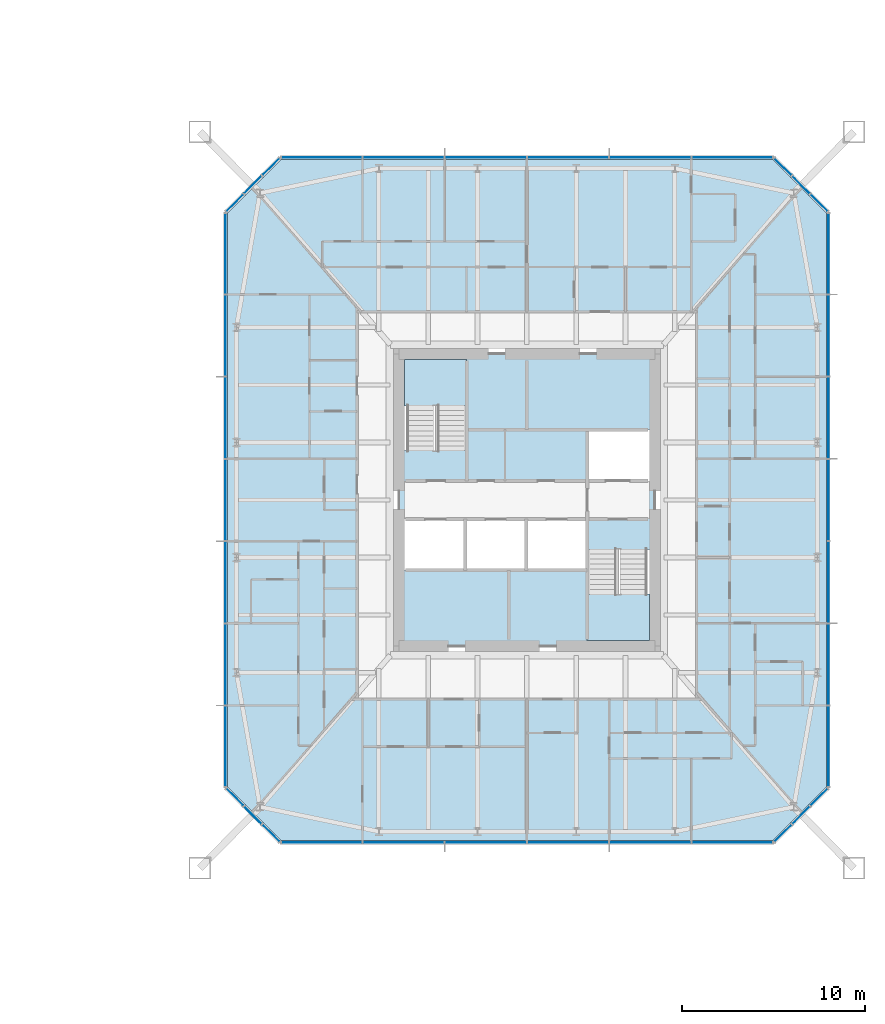
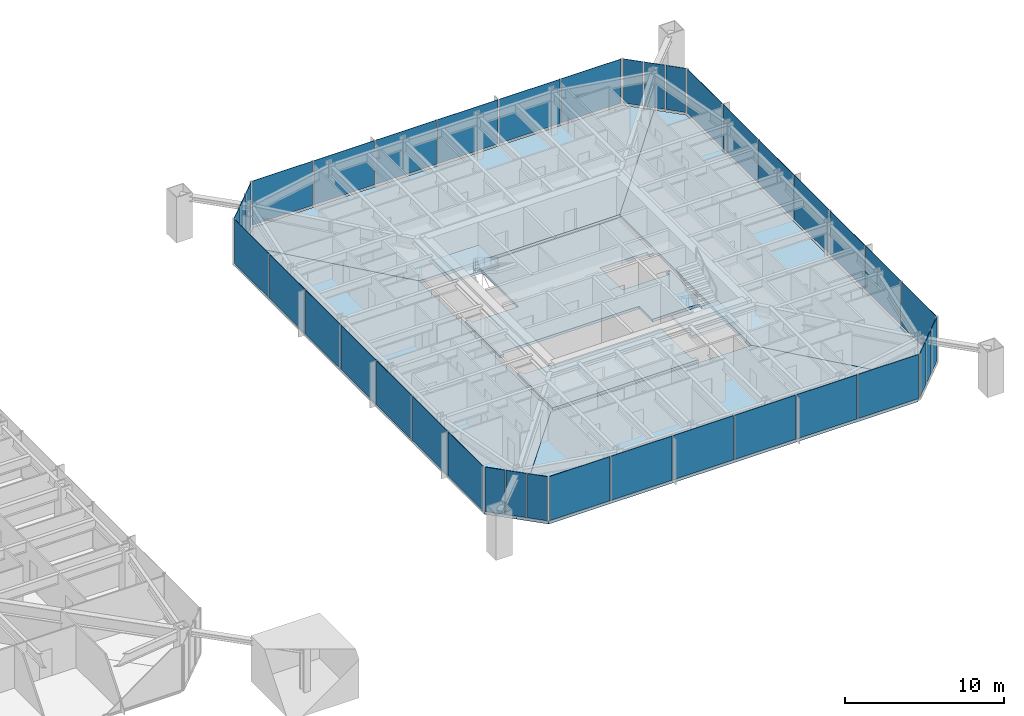
# One storey, part 13 of 26: 38 plates, 8 slabs, 10 elements without a shape of their own.
"""IFC4 building model written with IfcOpenShell, lengths in metres."""

from ifc_helpers import new_model, si_unit, direction, frame, origin, origin_2d, place, context, subcontext, project, spatial, polyline, rectangle, outline, extrude, material, layer, layer_set, constituent, constituent_set, type_object, element, aggregate, save


model = new_model("IFC4")

# Units and contexts
model_context = context("Model", 3, precision=1e-05, world=origin(), true_north=direction((0.0, 1.0)))
body_context = subcontext(model_context, "Body", "Model", "MODEL_VIEW")
ifc_project = project(units=[si_unit("LENGTHUNIT", "METRE"), si_unit("AREAUNIT", "SQUARE_METRE"), si_unit("VOLUMEUNIT", "CUBIC_METRE"), si_unit("PLANEANGLEUNIT", "RADIAN"), si_unit("MASSUNIT", "GRAM", prefix="KILO")], contexts=[model_context])

# Site, building, storey
site_placement = place(None, origin())
site = spatial("IfcSite", under=ifc_project, at=site_placement, CompositionType="ELEMENT")
building_placement = place(site_placement, origin())
building = spatial("IfcBuilding", under=site, at=building_placement, Name="Iwan Alto Co-Living Towers", CompositionType="ELEMENT")
storey_placement = place(building_placement, frame((0.0, 0.0, 57.0)))
storey = spatial("IfcBuildingStorey", under=building, at=storey_placement, Name="L15", CompositionType="ELEMENT", Elevation=57.0)

# Slabs
ifc_material_1 = material(Name="Concrete f'c 30 MPa", Category="concrete")
ifc_layer_1 = layer(ifc_material_1, 0.199951171875)
ifc_layer_set_1 = layer_set([ifc_layer_1], Name="CORE FLOOR SLAB 200")
slab_type_1 = type_object("IfcSlabType", Name="CORE FLOOR SLAB 200", PredefinedType="FLOOR", material=ifc_layer_set_1)
slab_1_placement = place(storey_placement, frame((0.0, 0.0, -0.199951171875)))
element("IfcSlab", 1, at=slab_1_placement, inside=storey, type_object=slab_type_1, Name="T2 core floor L15", PredefinedType="FLOOR", context=body_context, shape_type="SweptSolid", body=[
    extrude(outline(polyline([(70.0, -3.030029296875), (69.699951171875, -3.030029296875), (69.699951171875, -2.719970703125), (66.300048828125, -2.719970703125), (66.300048828125, -1.050048828125), (62.967041015625, -1.050048828125), (59.633056640625, -1.050048828125), (56.300048828125, -1.050048828125), (56.300048828125, -1.360107421875), (56.0, -1.360107421875), (56.0, 3.030029296875), (56.300048828125, 3.030029296875), (56.300048828125, 2.719970703125), (59.699951171875, 2.719970703125), (59.699951171875, 7.699951171875), (59.389892578125, 7.699951171875), (59.389892578125, 8.0), (70.0, 8.0), (70.0, 3.5400390625), (69.699951171875, 3.5400390625), (69.699951171875, 3.85009765625), (66.300048828125, 3.85009765625), (66.300048828125, 1.050048828125), (69.699951171875, 1.050048828125), (69.699951171875, 1.360107421875), (70.0, 1.360107421875), (70.0, -3.030029296875)])), origin(), (0.0, 0.0, 1.0), 0.199951171875),
])
slab_2_placement = place(storey_placement, frame((0.0, 0.0, -0.199951171875)))
element("IfcSlab", 2, at=slab_2_placement, inside=storey, type_object=slab_type_1, Name="T2 core floor L15", PredefinedType="FLOOR", context=body_context, shape_type="SweptSolid", body=[
    extrude(outline(polyline([(62.967041015625, -3.85009765625), (66.300048828125, -3.85009765625), (66.300048828125, -7.699951171875), (66.610107421875, -7.699951171875), (66.610107421875, -8.0), (56.0, -8.0), (56.0, -3.5400390625), (56.300048828125, -3.5400390625), (56.300048828125, -3.85009765625), (59.633056640625, -3.85009765625), (62.967041015625, -3.85009765625)])), origin(), (0.0, 0.0, 1.0), 0.199951171875),
])

# Curtain wall, plates
ifc_material_2 = material(Name="Bronze aluminium unitised frame", Category="aluminium")
curtain_wall_type_1 = type_object("IfcCurtainWallType", Name="CURTAIN WALL CW-C", PredefinedType="NOTDEFINED", material=ifc_material_2)
curtain_wall_1_placement = place(storey_placement, origin())
curtain_wall_1 = element("IfcCurtainWall", 3, at=curtain_wall_1_placement, inside=storey, type_object=curtain_wall_type_1, Name="T2 curtain wall S L15", PredefinedType="NOTDEFINED")
ifc_material_3 = material(Name="Bronze-tinted insulating glass", Category="glass")
ifc_layer_2 = layer(ifc_material_3, 0.031982421875)
ifc_layer_set_2 = layer_set([ifc_layer_2], Name="CW-C PANEL TINTED IGU 32")
plate_type_1 = type_object("IfcPlateType", Name="CW-C PANEL TINTED IGU 32", PredefinedType="CURTAIN_PANEL", material=ifc_layer_set_2)
plate_1_placement = place(storey_placement, frame((51.77001953125, -18.75, 0.10009765625), z_axis=(0.0, 0.0, 1.0), x_axis=(1.0, 0.0, 0.0)))
plate_1 = element("IfcPlate", 4, at=plate_1_placement, type_object=plate_type_1, Name="CW-C panel 1.1", PredefinedType="CURTAIN_PANEL", context=body_context, shape_type="SweptSolid", body=[
    extrude(rectangle(XDim=4.3798828125, YDim=0.031982421875, at=origin_2d()), origin(), (0.0, 0.0, 1.0), 3.39990234375),
])
plate_2_placement = place(storey_placement, frame((74.22998046875, -18.75, 0.10009765625), z_axis=(0.0, 0.0, 1.0), x_axis=(1.0, 0.0, 0.0)))
plate_2 = element("IfcPlate", 5, at=plate_2_placement, type_object=plate_type_1, Name="CW-C panel 6.1", PredefinedType="CURTAIN_PANEL", context=body_context, shape_type="SweptSolid", body=[
    extrude(rectangle(XDim=4.3798828125, YDim=0.031982421875, at=origin_2d()), origin(), (0.0, 0.0, 1.0), 3.39990234375),
])

curtain_wall_2_placement = place(storey_placement, origin())
curtain_wall_2 = element("IfcCurtainWall", 6, at=curtain_wall_2_placement, inside=storey, type_object=curtain_wall_type_1, Name="T2 curtain wall E L15", PredefinedType="NOTDEFINED")
plate_3_placement = place(storey_placement, frame((79.5, -13.47998046875, 0.10009765625), z_axis=(0.0, 0.0, 1.0), x_axis=(0.0, 1.0, 0.0)))
plate_3 = element("IfcPlate", 7, at=plate_3_placement, type_object=plate_type_1, Name="CW-C panel 1.1", PredefinedType="CURTAIN_PANEL", context=body_context, shape_type="SweptSolid", body=[
    extrude(rectangle(XDim=4.3798828125, YDim=0.031982421875, at=origin_2d()), origin(), (0.0, 0.0, 1.0), 3.39990234375),
])
plate_4_placement = place(storey_placement, frame((79.5, -9.0, 0.10009765625), z_axis=(0.0, 0.0, 1.0), x_axis=(0.0, 1.0, 0.0)))
plate_4 = element("IfcPlate", 8, at=plate_4_placement, type_object=plate_type_1, Name="CW-C panel 2.1", PredefinedType="CURTAIN_PANEL", context=body_context, shape_type="SweptSolid", body=[
    extrude(rectangle(XDim=4.419921875, YDim=0.031982421875, at=origin_2d()), origin(), (0.0, 0.0, 1.0), 3.39990234375),
])
plate_5_placement = place(storey_placement, frame((79.5, 9.0, 0.10009765625), z_axis=(0.0, 0.0, 1.0), x_axis=(0.0, 1.0, 0.0)))
plate_5 = element("IfcPlate", 9, at=plate_5_placement, type_object=plate_type_1, Name="CW-C panel 6.1", PredefinedType="CURTAIN_PANEL", context=body_context, shape_type="SweptSolid", body=[
    extrude(rectangle(XDim=4.419921875, YDim=0.031982421875, at=origin_2d()), origin(), (0.0, 0.0, 1.0), 3.39990234375),
])
plate_6_placement = place(storey_placement, frame((79.5, 13.47998046875, 0.10009765625), z_axis=(0.0, 0.0, 1.0), x_axis=(0.0, 1.0, 0.0)))
plate_6 = element("IfcPlate", 10, at=plate_6_placement, type_object=plate_type_1, Name="CW-C panel 7.1", PredefinedType="CURTAIN_PANEL", context=body_context, shape_type="SweptSolid", body=[
    extrude(rectangle(XDim=4.3798828125, YDim=0.031982421875, at=origin_2d()), origin(), (0.0, 0.0, 1.0), 3.39990234375),
])

curtain_wall_3_placement = place(storey_placement, origin())
curtain_wall_3 = element("IfcCurtainWall", 11, at=curtain_wall_3_placement, inside=storey, type_object=curtain_wall_type_1, Name="T2 curtain wall N L15", PredefinedType="NOTDEFINED")
plate_7_placement = place(storey_placement, frame((74.22998046875, 18.75, 0.10009765625), z_axis=(0.0, 0.0, 1.0), x_axis=(-1.0, 0.0, 0.0)))
plate_7 = element("IfcPlate", 12, at=plate_7_placement, type_object=plate_type_1, Name="CW-C panel 1.1", PredefinedType="CURTAIN_PANEL", context=body_context, shape_type="SweptSolid", body=[
    extrude(rectangle(XDim=4.3798828125, YDim=0.031982421875, at=origin_2d()), origin(), (0.0, 0.0, 1.0), 3.39990234375),
])
plate_8_placement = place(storey_placement, frame((51.77001953125, 18.75, 0.10009765625), z_axis=(0.0, 0.0, 1.0), x_axis=(-1.0, 0.0, 0.0)))
plate_8 = element("IfcPlate", 13, at=plate_8_placement, type_object=plate_type_1, Name="CW-C panel 6.1", PredefinedType="CURTAIN_PANEL", context=body_context, shape_type="SweptSolid", body=[
    extrude(rectangle(XDim=4.3798828125, YDim=0.031982421875, at=origin_2d()), origin(), (0.0, 0.0, 1.0), 3.39990234375),
])

curtain_wall_4_placement = place(storey_placement, origin())
curtain_wall_4 = element("IfcCurtainWall", 14, at=curtain_wall_4_placement, inside=storey, type_object=curtain_wall_type_1, Name="T2 curtain wall W L15", PredefinedType="NOTDEFINED")
plate_9_placement = place(storey_placement, frame((46.5, 13.47998046875, 0.10009765625), z_axis=(0.0, 0.0, 1.0), x_axis=(0.0, -1.0, 0.0)))
plate_9 = element("IfcPlate", 15, at=plate_9_placement, type_object=plate_type_1, Name="CW-C panel 1.1", PredefinedType="CURTAIN_PANEL", context=body_context, shape_type="SweptSolid", body=[
    extrude(rectangle(XDim=4.3798828125, YDim=0.031982421875, at=origin_2d()), origin(), (0.0, 0.0, 1.0), 3.39990234375),
])
plate_10_placement = place(storey_placement, frame((46.5, 9.0, 0.10009765625), z_axis=(0.0, 0.0, 1.0), x_axis=(0.0, -1.0, 0.0)))
plate_10 = element("IfcPlate", 16, at=plate_10_placement, type_object=plate_type_1, Name="CW-C panel 2.1", PredefinedType="CURTAIN_PANEL", context=body_context, shape_type="SweptSolid", body=[
    extrude(rectangle(XDim=4.419921875, YDim=0.031982421875, at=origin_2d()), origin(), (0.0, 0.0, 1.0), 3.39990234375),
])
plate_11_placement = place(storey_placement, frame((46.5, -9.0, 0.10009765625), z_axis=(0.0, 0.0, 1.0), x_axis=(0.0, -1.0, 0.0)))
plate_11 = element("IfcPlate", 17, at=plate_11_placement, type_object=plate_type_1, Name="CW-C panel 6.1", PredefinedType="CURTAIN_PANEL", context=body_context, shape_type="SweptSolid", body=[
    extrude(rectangle(XDim=4.419921875, YDim=0.031982421875, at=origin_2d()), origin(), (0.0, 0.0, 1.0), 3.39990234375),
])
plate_12_placement = place(storey_placement, frame((46.5, -13.47998046875, 0.10009765625), z_axis=(0.0, 0.0, 1.0), x_axis=(0.0, -1.0, 0.0)))
plate_12 = element("IfcPlate", 18, at=plate_12_placement, type_object=plate_type_1, Name="CW-C panel 7.1", PredefinedType="CURTAIN_PANEL", context=body_context, shape_type="SweptSolid", body=[
    extrude(rectangle(XDim=4.3798828125, YDim=0.031982421875, at=origin_2d()), origin(), (0.0, 0.0, 1.0), 3.39990234375),
])

# Plate
ifc_material_4 = material(Name="Insulated bronze aluminium spandrel panel", Category="aluminium")
ifc_layer_3 = layer(ifc_material_4, 0.031982421875)
ifc_layer_set_3 = layer_set([ifc_layer_3], Name="CW-C SPANDREL PANEL 32")
plate_type_2 = type_object("IfcPlateType", Name="CW-C SPANDREL PANEL 32", PredefinedType="CURTAIN_PANEL", material=ifc_layer_set_3)
plate_13_placement = place(storey_placement, frame((56.25, -18.75, 0.10009765625), z_axis=(0.0, 0.0, 1.0), x_axis=(1.0, 0.0, 0.0)))
plate_13 = element("IfcPlate", 19, at=plate_13_placement, type_object=plate_type_2, Name="CW-C spandrel panel 2.1 (braced bay)", PredefinedType="CURTAIN_PANEL", context=body_context, shape_type="SweptSolid", body=[
    extrude(rectangle(XDim=4.419921875, YDim=0.031982421875, at=origin_2d()), origin(), (0.0, 0.0, 1.0), 3.39990234375),
])

plate_14_placement = place(storey_placement, frame((60.75, -18.75, 0.10009765625), z_axis=(0.0, 0.0, 1.0), x_axis=(1.0, 0.0, 0.0)))
plate_14 = element("IfcPlate", 20, at=plate_14_placement, type_object=plate_type_2, Name="CW-C spandrel panel 3.1 (braced bay)", PredefinedType="CURTAIN_PANEL", context=body_context, shape_type="SweptSolid", body=[
    extrude(rectangle(XDim=4.419921875, YDim=0.031982421875, at=origin_2d()), origin(), (0.0, 0.0, 1.0), 3.39990234375),
])

plate_15_placement = place(storey_placement, frame((65.25, -18.75, 0.10009765625), z_axis=(0.0, 0.0, 1.0), x_axis=(1.0, 0.0, 0.0)))
plate_15 = element("IfcPlate", 21, at=plate_15_placement, type_object=plate_type_2, Name="CW-C spandrel panel 4.1 (braced bay)", PredefinedType="CURTAIN_PANEL", context=body_context, shape_type="SweptSolid", body=[
    extrude(rectangle(XDim=4.419921875, YDim=0.031982421875, at=origin_2d()), origin(), (0.0, 0.0, 1.0), 3.39990234375),
])

plate_16_placement = place(storey_placement, frame((69.75, -18.75, 0.10009765625), z_axis=(0.0, 0.0, 1.0), x_axis=(1.0, 0.0, 0.0)))
plate_16 = element("IfcPlate", 22, at=plate_16_placement, type_object=plate_type_2, Name="CW-C spandrel panel 5.1 (braced bay)", PredefinedType="CURTAIN_PANEL", context=body_context, shape_type="SweptSolid", body=[
    extrude(rectangle(XDim=4.419921875, YDim=0.031982421875, at=origin_2d()), origin(), (0.0, 0.0, 1.0), 3.39990234375),
])

aggregate(curtain_wall_1, [plate_1, plate_2, plate_13, plate_14, plate_15, plate_16])

plate_17_placement = place(storey_placement, frame((79.5, -4.5, 0.10009765625), z_axis=(0.0, 0.0, 1.0), x_axis=(0.0, 1.0, 0.0)))
plate_17 = element("IfcPlate", 23, at=plate_17_placement, type_object=plate_type_2, Name="CW-C spandrel panel 3.1 (braced bay)", PredefinedType="CURTAIN_PANEL", context=body_context, shape_type="SweptSolid", body=[
    extrude(rectangle(XDim=4.419921875, YDim=0.031982421875, at=origin_2d()), origin(), (0.0, 0.0, 1.0), 3.39990234375),
])

plate_18_placement = place(storey_placement, frame((79.5, 0.0, 0.10009765625), z_axis=(0.0, 0.0, 1.0), x_axis=(0.0, 1.0, 0.0)))
plate_18 = element("IfcPlate", 24, at=plate_18_placement, type_object=plate_type_2, Name="CW-C spandrel panel 4.1 (braced bay)", PredefinedType="CURTAIN_PANEL", context=body_context, shape_type="SweptSolid", body=[
    extrude(rectangle(XDim=4.419921875, YDim=0.031982421875, at=origin_2d()), origin(), (0.0, 0.0, 1.0), 3.39990234375),
])

plate_19_placement = place(storey_placement, frame((79.5, 4.5, 0.10009765625), z_axis=(0.0, 0.0, 1.0), x_axis=(0.0, 1.0, 0.0)))
plate_19 = element("IfcPlate", 25, at=plate_19_placement, type_object=plate_type_2, Name="CW-C spandrel panel 5.1 (braced bay)", PredefinedType="CURTAIN_PANEL", context=body_context, shape_type="SweptSolid", body=[
    extrude(rectangle(XDim=4.419921875, YDim=0.031982421875, at=origin_2d()), origin(), (0.0, 0.0, 1.0), 3.39990234375),
])

aggregate(curtain_wall_2, [plate_3, plate_4, plate_5, plate_6, plate_17, plate_18, plate_19])

plate_20_placement = place(storey_placement, frame((69.75, 18.75, 0.10009765625), z_axis=(0.0, 0.0, 1.0), x_axis=(-1.0, 0.0, 0.0)))
plate_20 = element("IfcPlate", 26, at=plate_20_placement, type_object=plate_type_2, Name="CW-C spandrel panel 2.1 (braced bay)", PredefinedType="CURTAIN_PANEL", context=body_context, shape_type="SweptSolid", body=[
    extrude(rectangle(XDim=4.419921875, YDim=0.031982421875, at=origin_2d()), origin(), (0.0, 0.0, 1.0), 3.39990234375),
])

plate_21_placement = place(storey_placement, frame((65.25, 18.75, 0.10009765625), z_axis=(0.0, 0.0, 1.0), x_axis=(-1.0, 0.0, 0.0)))
plate_21 = element("IfcPlate", 27, at=plate_21_placement, type_object=plate_type_2, Name="CW-C spandrel panel 3.1 (braced bay)", PredefinedType="CURTAIN_PANEL", context=body_context, shape_type="SweptSolid", body=[
    extrude(rectangle(XDim=4.419921875, YDim=0.031982421875, at=origin_2d()), origin(), (0.0, 0.0, 1.0), 3.39990234375),
])

plate_22_placement = place(storey_placement, frame((60.75, 18.75, 0.10009765625), z_axis=(0.0, 0.0, 1.0), x_axis=(-1.0, 0.0, 0.0)))
plate_22 = element("IfcPlate", 28, at=plate_22_placement, type_object=plate_type_2, Name="CW-C spandrel panel 4.1 (braced bay)", PredefinedType="CURTAIN_PANEL", context=body_context, shape_type="SweptSolid", body=[
    extrude(rectangle(XDim=4.419921875, YDim=0.031982421875, at=origin_2d()), origin(), (0.0, 0.0, 1.0), 3.39990234375),
])

plate_23_placement = place(storey_placement, frame((56.25, 18.75, 0.10009765625), z_axis=(0.0, 0.0, 1.0), x_axis=(-1.0, 0.0, 0.0)))
plate_23 = element("IfcPlate", 29, at=plate_23_placement, type_object=plate_type_2, Name="CW-C spandrel panel 5.1 (braced bay)", PredefinedType="CURTAIN_PANEL", context=body_context, shape_type="SweptSolid", body=[
    extrude(rectangle(XDim=4.419921875, YDim=0.031982421875, at=origin_2d()), origin(), (0.0, 0.0, 1.0), 3.39990234375),
])

aggregate(curtain_wall_3, [plate_7, plate_8, plate_20, plate_21, plate_22, plate_23])

plate_24_placement = place(storey_placement, frame((46.5, 4.5, 0.10009765625), z_axis=(0.0, 0.0, 1.0), x_axis=(0.0, -1.0, 0.0)))
plate_24 = element("IfcPlate", 30, at=plate_24_placement, type_object=plate_type_2, Name="CW-C spandrel panel 3.1 (braced bay)", PredefinedType="CURTAIN_PANEL", context=body_context, shape_type="SweptSolid", body=[
    extrude(rectangle(XDim=4.419921875, YDim=0.031982421875, at=origin_2d()), origin(), (0.0, 0.0, 1.0), 3.39990234375),
])

plate_25_placement = place(storey_placement, frame((46.5, 0.0, 0.10009765625), z_axis=(0.0, 0.0, 1.0), x_axis=(0.0, -1.0, 0.0)))
plate_25 = element("IfcPlate", 31, at=plate_25_placement, type_object=plate_type_2, Name="CW-C spandrel panel 4.1 (braced bay)", PredefinedType="CURTAIN_PANEL", context=body_context, shape_type="SweptSolid", body=[
    extrude(rectangle(XDim=4.419921875, YDim=0.031982421875, at=origin_2d()), origin(), (0.0, 0.0, 1.0), 3.39990234375),
])

plate_26_placement = place(storey_placement, frame((46.5, -4.5, 0.10009765625), z_axis=(0.0, 0.0, 1.0), x_axis=(0.0, -1.0, 0.0)))
plate_26 = element("IfcPlate", 32, at=plate_26_placement, type_object=plate_type_2, Name="CW-C spandrel panel 5.1 (braced bay)", PredefinedType="CURTAIN_PANEL", context=body_context, shape_type="SweptSolid", body=[
    extrude(rectangle(XDim=4.419921875, YDim=0.031982421875, at=origin_2d()), origin(), (0.0, 0.0, 1.0), 3.39990234375),
])

aggregate(curtain_wall_4, [plate_9, plate_10, plate_11, plate_12, plate_24, plate_25, plate_26])

# Curtain wall, plates
ifc_material_5 = material(Name="Bronze aluminium unitised frame", Category="aluminium")
curtain_wall_type_2 = type_object("IfcCurtainWallType", Name="CURTAIN WALL CW-D", PredefinedType="NOTDEFINED", material=ifc_material_5)
curtain_wall_5_placement = place(storey_placement, origin())
curtain_wall_5 = element("IfcCurtainWall", 33, at=curtain_wall_5_placement, inside=storey, type_object=curtain_wall_type_2, Name="T2 chamfer curtain wall SE L15", PredefinedType="NOTDEFINED")
ifc_material_6 = material(Name="Bronze-tinted insulating glass", Category="glass")
ifc_layer_4 = layer(ifc_material_6, 0.031982421875)
ifc_layer_set_4 = layer_set([ifc_layer_4], Name="CW-D PANEL TINTED IGU 32")
plate_type_3 = type_object("IfcPlateType", Name="CW-D PANEL TINTED IGU 32", PredefinedType="CURTAIN_PANEL", material=ifc_layer_set_4)
plate_27_placement = place(storey_placement, frame((77.01416015625, -18.23583984375, 0.10009765625), z_axis=(0.0, 0.0, 1.0), x_axis=(0.707106781187, 0.707106781187, 0.0)))
plate_27 = element("IfcPlate", 34, at=plate_27_placement, type_object=plate_type_3, Name="CW-D panel 1.1", PredefinedType="CURTAIN_PANEL", context=body_context, shape_type="SweptSolid", body=[
    extrude(rectangle(XDim=1.294189453125, YDim=0.031982421875, at=origin_2d()), origin(), (0.0, 0.0, 1.0), 3.39990234375),
])
plate_28_placement = place(storey_placement, frame((78.0, -17.25, 0.10009765625), z_axis=(0.0, 0.0, 1.0), x_axis=(0.707106781187, 0.707106781187, 0.0)))
plate_28 = element("IfcPlate", 35, at=plate_28_placement, type_object=plate_type_3, Name="CW-D panel 2.1", PredefinedType="CURTAIN_PANEL", context=body_context, shape_type="SweptSolid", body=[
    extrude(rectangle(XDim=1.334228515625, YDim=0.031982421875, at=origin_2d()), origin(), (0.0, 0.0, 1.0), 3.39990234375),
])
plate_29_placement = place(storey_placement, frame((78.98583984375, -16.26416015625, 0.10009765625), z_axis=(0.0, 0.0, 1.0), x_axis=(0.707106781187, 0.707106781187, 0.0)))
plate_29 = element("IfcPlate", 36, at=plate_29_placement, type_object=plate_type_3, Name="CW-D panel 3.1", PredefinedType="CURTAIN_PANEL", context=body_context, shape_type="SweptSolid", body=[
    extrude(rectangle(XDim=1.294189453125, YDim=0.031982421875, at=origin_2d()), origin(), (0.0, 0.0, 1.0), 3.39990234375),
])
aggregate(curtain_wall_5, [plate_27, plate_28, plate_29])

curtain_wall_6_placement = place(storey_placement, origin())
curtain_wall_6 = element("IfcCurtainWall", 37, at=curtain_wall_6_placement, inside=storey, type_object=curtain_wall_type_2, Name="T2 chamfer curtain wall NE L15", PredefinedType="NOTDEFINED")
plate_30_placement = place(storey_placement, frame((78.98583984375, 16.26416015625, 0.10009765625), z_axis=(0.0, 0.0, 1.0), x_axis=(-0.707106781187, 0.707106781187, 0.0)))
plate_30 = element("IfcPlate", 38, at=plate_30_placement, type_object=plate_type_3, Name="CW-D panel 1.1", PredefinedType="CURTAIN_PANEL", context=body_context, shape_type="SweptSolid", body=[
    extrude(rectangle(XDim=1.294189453125, YDim=0.031982421875, at=origin_2d()), origin(), (0.0, 0.0, 1.0), 3.39990234375),
])
plate_31_placement = place(storey_placement, frame((78.0, 17.25, 0.10009765625), z_axis=(0.0, 0.0, 1.0), x_axis=(-0.707106781187, 0.707106781187, 0.0)))
plate_31 = element("IfcPlate", 39, at=plate_31_placement, type_object=plate_type_3, Name="CW-D panel 2.1", PredefinedType="CURTAIN_PANEL", context=body_context, shape_type="SweptSolid", body=[
    extrude(rectangle(XDim=1.334228515625, YDim=0.031982421875, at=origin_2d()), origin(), (0.0, 0.0, 1.0), 3.39990234375),
])
plate_32_placement = place(storey_placement, frame((77.01416015625, 18.23583984375, 0.10009765625), z_axis=(0.0, 0.0, 1.0), x_axis=(-0.707106781187, 0.707106781187, 0.0)))
plate_32 = element("IfcPlate", 40, at=plate_32_placement, type_object=plate_type_3, Name="CW-D panel 3.1", PredefinedType="CURTAIN_PANEL", context=body_context, shape_type="SweptSolid", body=[
    extrude(rectangle(XDim=1.294189453125, YDim=0.031982421875, at=origin_2d()), origin(), (0.0, 0.0, 1.0), 3.39990234375),
])
aggregate(curtain_wall_6, [plate_30, plate_31, plate_32])

curtain_wall_7_placement = place(storey_placement, origin())
curtain_wall_7 = element("IfcCurtainWall", 41, at=curtain_wall_7_placement, inside=storey, type_object=curtain_wall_type_2, Name="T2 chamfer curtain wall NW L15", PredefinedType="NOTDEFINED")
plate_33_placement = place(storey_placement, frame((48.98583984375, 18.23583984375, 0.10009765625), z_axis=(0.0, 0.0, 1.0), x_axis=(-0.707106781187, -0.707106781187, 0.0)))
plate_33 = element("IfcPlate", 42, at=plate_33_placement, type_object=plate_type_3, Name="CW-D panel 1.1", PredefinedType="CURTAIN_PANEL", context=body_context, shape_type="SweptSolid", body=[
    extrude(rectangle(XDim=1.294189453125, YDim=0.031982421875, at=origin_2d()), origin(), (0.0, 0.0, 1.0), 3.39990234375),
])
plate_34_placement = place(storey_placement, frame((48.0, 17.25, 0.10009765625), z_axis=(0.0, 0.0, 1.0), x_axis=(-0.707106781187, -0.707106781187, 0.0)))
plate_34 = element("IfcPlate", 43, at=plate_34_placement, type_object=plate_type_3, Name="CW-D panel 2.1", PredefinedType="CURTAIN_PANEL", context=body_context, shape_type="SweptSolid", body=[
    extrude(rectangle(XDim=1.334228515625, YDim=0.031982421875, at=origin_2d()), origin(), (0.0, 0.0, 1.0), 3.39990234375),
])
plate_35_placement = place(storey_placement, frame((47.01416015625, 16.26416015625, 0.10009765625), z_axis=(0.0, 0.0, 1.0), x_axis=(-0.707106781187, -0.707106781187, 0.0)))
plate_35 = element("IfcPlate", 44, at=plate_35_placement, type_object=plate_type_3, Name="CW-D panel 3.1", PredefinedType="CURTAIN_PANEL", context=body_context, shape_type="SweptSolid", body=[
    extrude(rectangle(XDim=1.294189453125, YDim=0.031982421875, at=origin_2d()), origin(), (0.0, 0.0, 1.0), 3.39990234375),
])
aggregate(curtain_wall_7, [plate_33, plate_34, plate_35])

curtain_wall_8_placement = place(storey_placement, origin())
curtain_wall_8 = element("IfcCurtainWall", 45, at=curtain_wall_8_placement, inside=storey, type_object=curtain_wall_type_2, Name="T2 chamfer curtain wall SW L15", PredefinedType="NOTDEFINED")
plate_36_placement = place(storey_placement, frame((47.01416015625, -16.26416015625, 0.10009765625), z_axis=(0.0, 0.0, 1.0), x_axis=(0.707106781187, -0.707106781187, 0.0)))
plate_36 = element("IfcPlate", 46, at=plate_36_placement, type_object=plate_type_3, Name="CW-D panel 1.1", PredefinedType="CURTAIN_PANEL", context=body_context, shape_type="SweptSolid", body=[
    extrude(rectangle(XDim=1.294189453125, YDim=0.031982421875, at=origin_2d()), origin(), (0.0, 0.0, 1.0), 3.39990234375),
])
plate_37_placement = place(storey_placement, frame((48.0, -17.25, 0.10009765625), z_axis=(0.0, 0.0, 1.0), x_axis=(0.707106781187, -0.707106781187, 0.0)))
plate_37 = element("IfcPlate", 47, at=plate_37_placement, type_object=plate_type_3, Name="CW-D panel 2.1", PredefinedType="CURTAIN_PANEL", context=body_context, shape_type="SweptSolid", body=[
    extrude(rectangle(XDim=1.334228515625, YDim=0.031982421875, at=origin_2d()), origin(), (0.0, 0.0, 1.0), 3.39990234375),
])
plate_38_placement = place(storey_placement, frame((48.98583984375, -18.23583984375, 0.10009765625), z_axis=(0.0, 0.0, 1.0), x_axis=(0.707106781187, -0.707106781187, 0.0)))
plate_38 = element("IfcPlate", 48, at=plate_38_placement, type_object=plate_type_3, Name="CW-D panel 3.1", PredefinedType="CURTAIN_PANEL", context=body_context, shape_type="SweptSolid", body=[
    extrude(rectangle(XDim=1.294189453125, YDim=0.031982421875, at=origin_2d()), origin(), (0.0, 0.0, 1.0), 3.39990234375),
])
aggregate(curtain_wall_8, [plate_36, plate_37, plate_38])

# Stair, slab
ifc_material_7 = material(Name="Steel ASTM A36", Category="steel")
ifc_constituent_1 = constituent(ifc_material_7, Name="Stringers", Category="LoadBearing")
ifc_material_8 = material(Name="Concrete f'c 30 MPa", Category="concrete")
ifc_constituent_2 = constituent(ifc_material_8, Name="Tread fill", Category="Finish")
ifc_constituent_set = constituent_set(constituents=[ifc_constituent_1, ifc_constituent_2], Name="STAIR 3500 TWO-FLIGHT T2 CORE")
stair_type = type_object("IfcStairType", Name="STAIR 3500 TWO-FLIGHT T2 CORE", PredefinedType="HALF_TURN_STAIR", material=ifc_constituent_set)
stair_1_placement = place(storey_placement, origin())
stair_1 = element("IfcStair", 49, at=stair_1_placement, inside=storey, type_object=stair_type, Name="Stair T2-S1 L15 to L16", PredefinedType="HALF_TURN_STAIR")
ifc_material_9 = material(Name="Concrete f'c 30 MPa", Category="concrete")
ifc_layer_5 = layer(ifc_material_9, 0.199951171875)
ifc_layer_set_5 = layer_set([ifc_layer_5], Name="STAIR LANDING 200")
slab_type_2 = type_object("IfcSlabType", Name="STAIR LANDING 200", PredefinedType="LANDING", material=ifc_layer_set_5)
slab_3_placement = place(storey_placement, frame((0.0, 0.0, 1.550048828125)))
slab_3 = element("IfcSlab", 50, at=slab_3_placement, type_object=slab_type_2, Name="T2-S1 landing 1", PredefinedType="LANDING", context=body_context, shape_type="SweptSolid", body=[
    extrude(outline(polyline([(56.300048828125, 5.139892578125), (56.300048828125, 7.699951171875), (59.699951171875, 7.699951171875), (59.699951171875, 5.139892578125), (56.300048828125, 5.139892578125)])), origin(), (0.0, 0.0, 1.0), 0.199951171875),
])
aggregate(stair_1, [slab_3])

stair_2_placement = place(storey_placement, origin())
stair_2 = element("IfcStair", 51, at=stair_2_placement, inside=storey, type_object=stair_type, Name="Stair T2-S2 L15 to L16", PredefinedType="HALF_TURN_STAIR")
slab_4_placement = place(storey_placement, frame((0.0, 0.0, 1.550048828125)))
slab_4 = element("IfcSlab", 52, at=slab_4_placement, type_object=slab_type_2, Name="T2-S2 landing 1", PredefinedType="LANDING", context=body_context, shape_type="SweptSolid", body=[
    extrude(outline(polyline([(66.300048828125, -5.139892578125), (66.300048828125, -7.699951171875), (69.699951171875, -7.699951171875), (69.699951171875, -5.139892578125), (66.300048828125, -5.139892578125)])), origin(), (0.0, 0.0, 1.0), 0.199951171875),
])
aggregate(stair_2, [slab_4])

# Slabs
ifc_material_10 = material(Name="Concrete f'c 30 MPa", Category="concrete")
ifc_layer_6 = layer(ifc_material_10, 0.22998046875)
ifc_layer_set_6 = layer_set([ifc_layer_6], Name="T2 FLOOR SLAB 230")
slab_type_3 = type_object("IfcSlabType", Name="T2 FLOOR SLAB 230", PredefinedType="FLOOR", material=ifc_layer_set_6)
slab_5_placement = place(storey_placement, frame((0.0, 0.0, -0.22998046875)))
element("IfcSlab", 53, at=slab_5_placement, inside=storey, type_object=slab_type_3, Name="T2 floor slab L15 S pour", PredefinedType="FLOOR", context=body_context, shape_type="SweptSolid", body=[
    extrude(outline(polyline([(76.44140625, -18.64990234375), (49.55859375, -18.64990234375), (48.07568359375, -17.1669921875), (55.699951171875, -8.300048828125), (70.300048828125, -8.300048828125), (77.92431640625, -17.1669921875), (76.44140625, -18.64990234375)])), origin(), (0.0, 0.0, 1.0), 0.22998046875),
])
slab_6_placement = place(storey_placement, frame((0.0, 0.0, -0.22998046875)))
element("IfcSlab", 54, at=slab_6_placement, inside=storey, type_object=slab_type_3, Name="T2 floor slab L15 E pour", PredefinedType="FLOOR", context=body_context, shape_type="SweptSolid", body=[
    extrude(outline(polyline([(79.39990234375, 15.69140625), (79.39990234375, -15.69140625), (77.92431640625, -17.1669921875), (70.300048828125, -8.300048828125), (70.300048828125, 8.300048828125), (77.92431640625, 17.1669921875), (79.39990234375, 15.69140625)])), origin(), (0.0, 0.0, 1.0), 0.22998046875),
])
slab_7_placement = place(storey_placement, frame((0.0, 0.0, -0.22998046875)))
element("IfcSlab", 55, at=slab_7_placement, inside=storey, type_object=slab_type_3, Name="T2 floor slab L15 N pour", PredefinedType="FLOOR", context=body_context, shape_type="SweptSolid", body=[
    extrude(outline(polyline([(49.55859375, 18.64990234375), (76.44140625, 18.64990234375), (77.92431640625, 17.1669921875), (70.300048828125, 8.300048828125), (55.699951171875, 8.300048828125), (48.07568359375, 17.1669921875), (49.55859375, 18.64990234375)])), origin(), (0.0, 0.0, 1.0), 0.22998046875),
])
slab_8_placement = place(storey_placement, frame((0.0, 0.0, -0.22998046875)))
element("IfcSlab", 56, at=slab_8_placement, inside=storey, type_object=slab_type_3, Name="T2 floor slab L15 W pour", PredefinedType="FLOOR", context=body_context, shape_type="SweptSolid", body=[
    extrude(outline(polyline([(46.60009765625, 15.69140625), (48.07568359375, 17.1669921875), (55.699951171875, 8.300048828125), (55.699951171875, -8.300048828125), (48.07568359375, -17.1669921875), (46.60009765625, -15.69140625), (46.60009765625, 15.69140625)])), origin(), (0.0, 0.0, 1.0), 0.22998046875),
])

save(model, "model.ifc")
